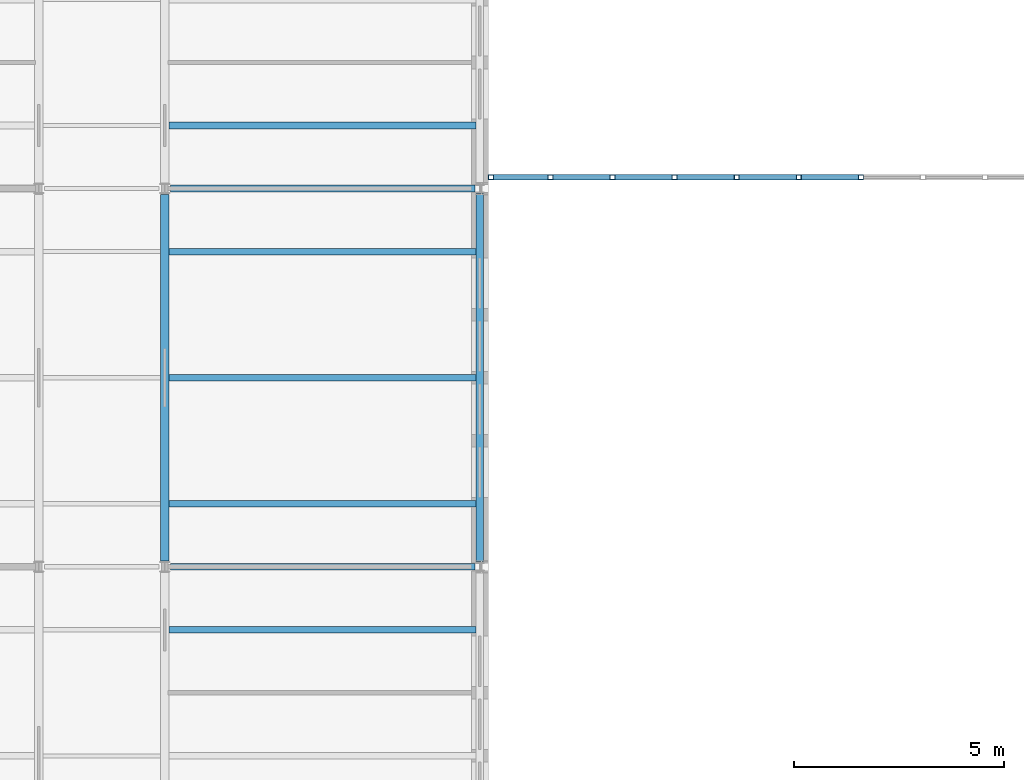
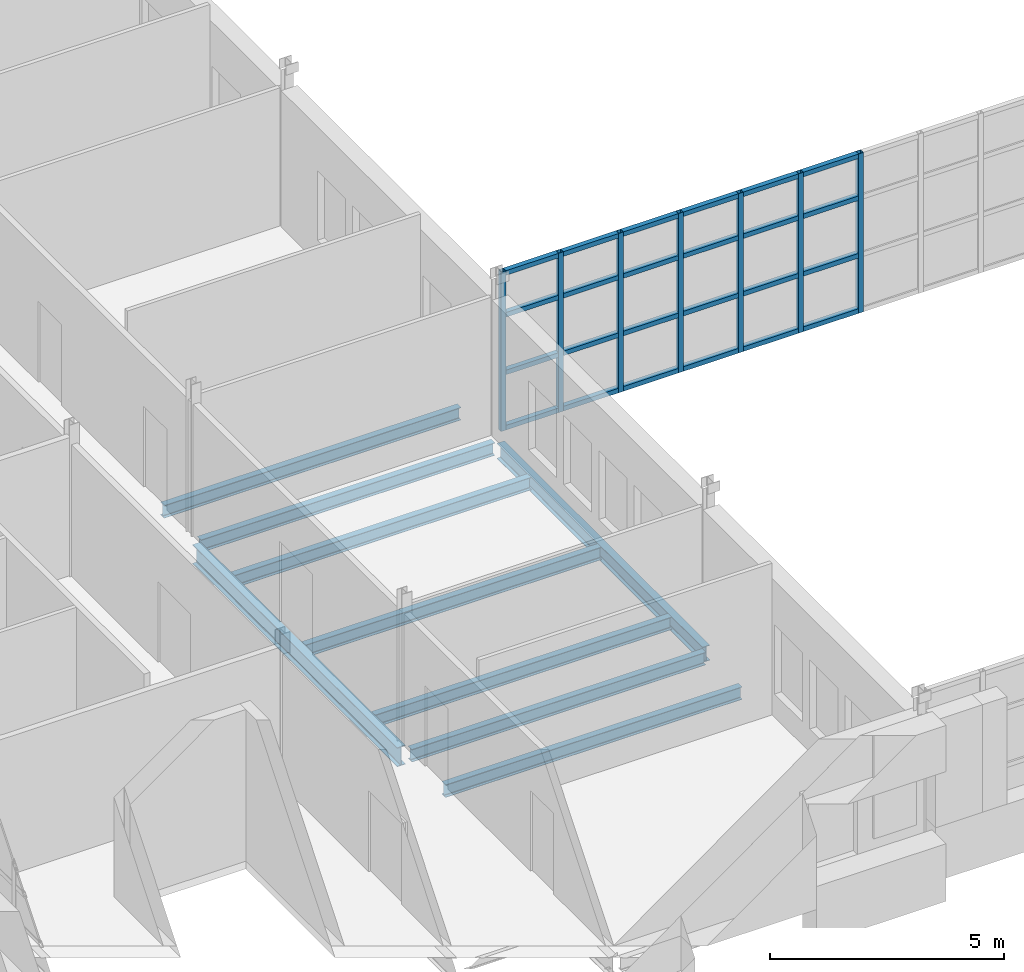
# One storey, part 24 of 154: 31 members, 9 beams, 1 element without a shape of its own.
"""IFC4 building model written with IfcOpenShell, lengths in metres."""

from ifc_helpers import new_model, si_unit, direction, frame, origin, origin_2d, place, context, subcontext, project, spatial, hollow_rectangle, i_section, extrude, material, material_profile, profile_set, type_object, element, aggregate, save


model = new_model("IFC4")

# Units and contexts
model_context = context("Model", 3, precision=1e-05, world=origin(), true_north=direction((0.0, 1.0)))
body_context = subcontext(model_context, "Body", "Model", "MODEL_VIEW")
ifc_project = project(units=[si_unit("LENGTHUNIT", "METRE"), si_unit("AREAUNIT", "SQUARE_METRE"), si_unit("VOLUMEUNIT", "CUBIC_METRE"), si_unit("PLANEANGLEUNIT", "RADIAN"), si_unit("MASSUNIT", "GRAM", prefix="KILO")], contexts=[model_context])

# Site, building, storey
site_placement = place(None, origin())
site = spatial("IfcSite", under=ifc_project, at=site_placement, CompositionType="ELEMENT")
building_placement = place(site_placement, origin())
building = spatial("IfcBuilding", under=site, at=building_placement, Name="Golden Quay Civic Hall", CompositionType="ELEMENT")
storey_placement = place(building_placement, frame((0.0, 0.0, 14.39990234375)))
storey = spatial("IfcBuildingStorey", under=building, at=storey_placement, Name="L03", CompositionType="ELEMENT", Elevation=14.39990234375)

# Curtain wall, members
ifc_material_1 = material(Name="Fire-resisting glass and steel", Category="steel")
curtain_wall_type = type_object("IfcCurtainWallType", Name="Fire-resisting glazed curtain wall EI 120", PredefinedType="NOTDEFINED", material=ifc_material_1)
curtain_wall_placement = place(storey_placement, origin())
curtain_wall = element("IfcCurtainWall", 1, at=curtain_wall_placement, inside=storey, type_object=curtain_wall_type, Name="CW3 curtain wall", PredefinedType="NOTDEFINED")
ifc_material_2 = material(Name="Steel S355", Category="steel")
ifc_material_profile_1 = material_profile(ifc_material_2, hollow_rectangle(XDim=0.1201171875, YDim=0.1201171875, WallThickness=0.008056640625, at=origin_2d()), Name="SHS 120x120x8")
ifc_profile_set_1 = profile_set([ifc_material_profile_1], Name="Steel S355")
member_type_1 = type_object("IfcMemberType", Name="Fire-resisting steel mullion SHS 120x120x8", PredefinedType="MULLION", material=ifc_profile_set_1)
member_1_placement = place(storey_placement, frame((72.260009765625, 18.27001953125, -0.199951171875), z_axis=(0.0, 0.0, 1.0), x_axis=(0.0, 1.0, 0.0)))
member_1 = element("IfcMember", 2, at=member_1_placement, type_object=member_type_1, Name="CW3 mullion 1", PredefinedType="MULLION", context=body_context, shape_type="SweptSolid", body=[
    extrude(hollow_rectangle(XDim=0.1201171875, YDim=0.1201171875, WallThickness=0.008056640625, at=origin_2d()), origin(), (0.0, 0.0, 1.0), 4.150146484375),
])
member_2_placement = place(storey_placement, frame((73.677734375, 18.27001953125, -0.199951171875), z_axis=(0.0, 0.0, 1.0), x_axis=(0.0, 1.0, 0.0)))
member_2 = element("IfcMember", 3, at=member_2_placement, type_object=member_type_1, Name="CW3 mullion 2", PredefinedType="MULLION", context=body_context, shape_type="SweptSolid", body=[
    extrude(hollow_rectangle(XDim=0.1201171875, YDim=0.1201171875, WallThickness=0.008056640625, at=origin_2d()), origin(), (0.0, 0.0, 1.0), 4.150146484375),
])
member_3_placement = place(storey_placement, frame((75.155517578125, 18.27001953125, -0.199951171875), z_axis=(0.0, 0.0, 1.0), x_axis=(0.0, 1.0, 0.0)))
member_3 = element("IfcMember", 4, at=member_3_placement, type_object=member_type_1, Name="CW3 mullion 3", PredefinedType="MULLION", context=body_context, shape_type="SweptSolid", body=[
    extrude(hollow_rectangle(XDim=0.1201171875, YDim=0.1201171875, WallThickness=0.008056640625, at=origin_2d()), origin(), (0.0, 0.0, 1.0), 4.150146484375),
])
member_4_placement = place(storey_placement, frame((76.63330078125, 18.27001953125, -0.199951171875), z_axis=(0.0, 0.0, 1.0), x_axis=(0.0, 1.0, 0.0)))
member_4 = element("IfcMember", 5, at=member_4_placement, type_object=member_type_1, Name="CW3 mullion 4", PredefinedType="MULLION", context=body_context, shape_type="SweptSolid", body=[
    extrude(hollow_rectangle(XDim=0.1201171875, YDim=0.1201171875, WallThickness=0.008056640625, at=origin_2d()), origin(), (0.0, 0.0, 1.0), 4.150146484375),
])
member_5_placement = place(storey_placement, frame((78.111083984375, 18.27001953125, -0.199951171875), z_axis=(0.0, 0.0, 1.0), x_axis=(0.0, 1.0, 0.0)))
member_5 = element("IfcMember", 6, at=member_5_placement, type_object=member_type_1, Name="CW3 mullion 5", PredefinedType="MULLION", context=body_context, shape_type="SweptSolid", body=[
    extrude(hollow_rectangle(XDim=0.1201171875, YDim=0.1201171875, WallThickness=0.008056640625, at=origin_2d()), origin(), (0.0, 0.0, 1.0), 4.150146484375),
])
member_6_placement = place(storey_placement, frame((79.5888671875, 18.27001953125, -0.199951171875), z_axis=(0.0, 0.0, 1.0), x_axis=(0.0, 1.0, 0.0)))
member_6 = element("IfcMember", 7, at=member_6_placement, type_object=member_type_1, Name="CW3 mullion 6", PredefinedType="MULLION", context=body_context, shape_type="SweptSolid", body=[
    extrude(hollow_rectangle(XDim=0.1201171875, YDim=0.1201171875, WallThickness=0.008056640625, at=origin_2d()), origin(), (0.0, 0.0, 1.0), 4.150146484375),
])
member_7_placement = place(storey_placement, frame((81.066650390625, 18.27001953125, -0.199951171875), z_axis=(0.0, 0.0, 1.0), x_axis=(0.0, 1.0, 0.0)))
member_7 = element("IfcMember", 8, at=member_7_placement, type_object=member_type_1, Name="CW3 mullion 7", PredefinedType="MULLION", context=body_context, shape_type="SweptSolid", body=[
    extrude(hollow_rectangle(XDim=0.1201171875, YDim=0.1201171875, WallThickness=0.008056640625, at=origin_2d()), origin(), (0.0, 0.0, 1.0), 4.150146484375),
])
ifc_material_3 = material(Name="Steel S355", Category="steel")
ifc_material_profile_2 = material_profile(ifc_material_3, hollow_rectangle(XDim=0.1201171875, YDim=0.1201171875, WallThickness=0.008056640625, at=origin_2d()), Name="SHS 120x120x8")
ifc_profile_set_2 = profile_set([ifc_material_profile_2], Name="Steel S355")
member_type_2 = type_object("IfcMemberType", Name="Fire-resisting steel transom SHS 120x120x8", PredefinedType="USERDEFINED", material=ifc_profile_set_2)
member_8_placement = place(storey_placement, frame((72.320068359375, 18.27001953125, -0.139892578125), z_axis=(1.0, 0.0, 0.0), x_axis=(0.0, 1.0, 0.0)))
member_8 = element("IfcMember", 9, at=member_8_placement, type_object=member_type_2, Name="CW3 transom 1.1", ObjectType="TRANSOM", PredefinedType="USERDEFINED", context=body_context, shape_type="SweptSolid", body=[
    extrude(hollow_rectangle(XDim=0.1201171875, YDim=0.1201171875, WallThickness=0.008056640625, at=origin_2d()), origin(), (0.0, 0.0, 1.0), 1.297607421875),
])
member_9_placement = place(storey_placement, frame((72.320068359375, 18.27001953125, 1.300048828125), z_axis=(1.0, 0.0, 0.0), x_axis=(0.0, 1.0, 0.0)))
member_9 = element("IfcMember", 10, at=member_9_placement, type_object=member_type_2, Name="CW3 transom 1.2", ObjectType="TRANSOM", PredefinedType="USERDEFINED", context=body_context, shape_type="SweptSolid", body=[
    extrude(hollow_rectangle(XDim=0.1201171875, YDim=0.1201171875, WallThickness=0.008056640625, at=origin_2d()), origin(), (0.0, 0.0, 1.0), 1.297607421875),
])
member_10_placement = place(storey_placement, frame((72.320068359375, 18.27001953125, 2.800048828125), z_axis=(1.0, 0.0, 0.0), x_axis=(0.0, 1.0, 0.0)))
member_10 = element("IfcMember", 11, at=member_10_placement, type_object=member_type_2, Name="CW3 transom 1.3", ObjectType="TRANSOM", PredefinedType="USERDEFINED", context=body_context, shape_type="SweptSolid", body=[
    extrude(hollow_rectangle(XDim=0.1201171875, YDim=0.1201171875, WallThickness=0.008056640625, at=origin_2d()), origin(), (0.0, 0.0, 1.0), 1.297607421875),
])
member_11_placement = place(storey_placement, frame((72.320068359375, 18.27001953125, 3.89013671875), z_axis=(1.0, 0.0, 0.0), x_axis=(0.0, 1.0, 0.0)))
member_11 = element("IfcMember", 12, at=member_11_placement, type_object=member_type_2, Name="CW3 transom 1.4", ObjectType="TRANSOM", PredefinedType="USERDEFINED", context=body_context, shape_type="SweptSolid", body=[
    extrude(hollow_rectangle(XDim=0.1201171875, YDim=0.1201171875, WallThickness=0.008056640625, at=origin_2d()), origin(), (0.0, 0.0, 1.0), 1.297607421875),
])
member_12_placement = place(storey_placement, frame((73.73779296875, 18.27001953125, -0.139892578125), z_axis=(1.0, 0.0, 0.0), x_axis=(0.0, 1.0, 0.0)))
member_12 = element("IfcMember", 13, at=member_12_placement, type_object=member_type_2, Name="CW3 transom 2.1", ObjectType="TRANSOM", PredefinedType="USERDEFINED", context=body_context, shape_type="SweptSolid", body=[
    extrude(hollow_rectangle(XDim=0.1201171875, YDim=0.1201171875, WallThickness=0.008056640625, at=origin_2d()), origin(), (0.0, 0.0, 1.0), 1.357666015625),
])
member_13_placement = place(storey_placement, frame((73.73779296875, 18.27001953125, 1.300048828125), z_axis=(1.0, 0.0, 0.0), x_axis=(0.0, 1.0, 0.0)))
member_13 = element("IfcMember", 14, at=member_13_placement, type_object=member_type_2, Name="CW3 transom 2.2", ObjectType="TRANSOM", PredefinedType="USERDEFINED", context=body_context, shape_type="SweptSolid", body=[
    extrude(hollow_rectangle(XDim=0.1201171875, YDim=0.1201171875, WallThickness=0.008056640625, at=origin_2d()), origin(), (0.0, 0.0, 1.0), 1.357666015625),
])
member_14_placement = place(storey_placement, frame((73.73779296875, 18.27001953125, 2.800048828125), z_axis=(1.0, 0.0, 0.0), x_axis=(0.0, 1.0, 0.0)))
member_14 = element("IfcMember", 15, at=member_14_placement, type_object=member_type_2, Name="CW3 transom 2.3", ObjectType="TRANSOM", PredefinedType="USERDEFINED", context=body_context, shape_type="SweptSolid", body=[
    extrude(hollow_rectangle(XDim=0.1201171875, YDim=0.1201171875, WallThickness=0.008056640625, at=origin_2d()), origin(), (0.0, 0.0, 1.0), 1.357666015625),
])
member_15_placement = place(storey_placement, frame((73.73779296875, 18.27001953125, 3.89013671875), z_axis=(1.0, 0.0, 0.0), x_axis=(0.0, 1.0, 0.0)))
member_15 = element("IfcMember", 16, at=member_15_placement, type_object=member_type_2, Name="CW3 transom 2.4", ObjectType="TRANSOM", PredefinedType="USERDEFINED", context=body_context, shape_type="SweptSolid", body=[
    extrude(hollow_rectangle(XDim=0.1201171875, YDim=0.1201171875, WallThickness=0.008056640625, at=origin_2d()), origin(), (0.0, 0.0, 1.0), 1.357666015625),
])
member_16_placement = place(storey_placement, frame((75.215576171875, 18.27001953125, -0.139892578125), z_axis=(1.0, 0.0, 0.0), x_axis=(0.0, 1.0, 0.0)))
member_16 = element("IfcMember", 17, at=member_16_placement, type_object=member_type_2, Name="CW3 transom 3.1", ObjectType="TRANSOM", PredefinedType="USERDEFINED", context=body_context, shape_type="SweptSolid", body=[
    extrude(hollow_rectangle(XDim=0.1201171875, YDim=0.1201171875, WallThickness=0.008056640625, at=origin_2d()), origin(), (0.0, 0.0, 1.0), 1.357666015625),
])
member_17_placement = place(storey_placement, frame((75.215576171875, 18.27001953125, 1.300048828125), z_axis=(1.0, 0.0, 0.0), x_axis=(0.0, 1.0, 0.0)))
member_17 = element("IfcMember", 18, at=member_17_placement, type_object=member_type_2, Name="CW3 transom 3.2", ObjectType="TRANSOM", PredefinedType="USERDEFINED", context=body_context, shape_type="SweptSolid", body=[
    extrude(hollow_rectangle(XDim=0.1201171875, YDim=0.1201171875, WallThickness=0.008056640625, at=origin_2d()), origin(), (0.0, 0.0, 1.0), 1.357666015625),
])
member_18_placement = place(storey_placement, frame((75.215576171875, 18.27001953125, 2.800048828125), z_axis=(1.0, 0.0, 0.0), x_axis=(0.0, 1.0, 0.0)))
member_18 = element("IfcMember", 19, at=member_18_placement, type_object=member_type_2, Name="CW3 transom 3.3", ObjectType="TRANSOM", PredefinedType="USERDEFINED", context=body_context, shape_type="SweptSolid", body=[
    extrude(hollow_rectangle(XDim=0.1201171875, YDim=0.1201171875, WallThickness=0.008056640625, at=origin_2d()), origin(), (0.0, 0.0, 1.0), 1.357666015625),
])
member_19_placement = place(storey_placement, frame((75.215576171875, 18.27001953125, 3.89013671875), z_axis=(1.0, 0.0, 0.0), x_axis=(0.0, 1.0, 0.0)))
member_19 = element("IfcMember", 20, at=member_19_placement, type_object=member_type_2, Name="CW3 transom 3.4", ObjectType="TRANSOM", PredefinedType="USERDEFINED", context=body_context, shape_type="SweptSolid", body=[
    extrude(hollow_rectangle(XDim=0.1201171875, YDim=0.1201171875, WallThickness=0.008056640625, at=origin_2d()), origin(), (0.0, 0.0, 1.0), 1.357666015625),
])
member_20_placement = place(storey_placement, frame((76.693359375, 18.27001953125, -0.139892578125), z_axis=(1.0, 0.0, 0.0), x_axis=(0.0, 1.0, 0.0)))
member_20 = element("IfcMember", 21, at=member_20_placement, type_object=member_type_2, Name="CW3 transom 4.1", ObjectType="TRANSOM", PredefinedType="USERDEFINED", context=body_context, shape_type="SweptSolid", body=[
    extrude(hollow_rectangle(XDim=0.1201171875, YDim=0.1201171875, WallThickness=0.008056640625, at=origin_2d()), origin(), (0.0, 0.0, 1.0), 1.357666015625),
])
member_21_placement = place(storey_placement, frame((76.693359375, 18.27001953125, 1.300048828125), z_axis=(1.0, 0.0, 0.0), x_axis=(0.0, 1.0, 0.0)))
member_21 = element("IfcMember", 22, at=member_21_placement, type_object=member_type_2, Name="CW3 transom 4.2", ObjectType="TRANSOM", PredefinedType="USERDEFINED", context=body_context, shape_type="SweptSolid", body=[
    extrude(hollow_rectangle(XDim=0.1201171875, YDim=0.1201171875, WallThickness=0.008056640625, at=origin_2d()), origin(), (0.0, 0.0, 1.0), 1.357666015625),
])
member_22_placement = place(storey_placement, frame((76.693359375, 18.27001953125, 2.800048828125), z_axis=(1.0, 0.0, 0.0), x_axis=(0.0, 1.0, 0.0)))
member_22 = element("IfcMember", 23, at=member_22_placement, type_object=member_type_2, Name="CW3 transom 4.3", ObjectType="TRANSOM", PredefinedType="USERDEFINED", context=body_context, shape_type="SweptSolid", body=[
    extrude(hollow_rectangle(XDim=0.1201171875, YDim=0.1201171875, WallThickness=0.008056640625, at=origin_2d()), origin(), (0.0, 0.0, 1.0), 1.357666015625),
])
member_23_placement = place(storey_placement, frame((76.693359375, 18.27001953125, 3.89013671875), z_axis=(1.0, 0.0, 0.0), x_axis=(0.0, 1.0, 0.0)))
member_23 = element("IfcMember", 24, at=member_23_placement, type_object=member_type_2, Name="CW3 transom 4.4", ObjectType="TRANSOM", PredefinedType="USERDEFINED", context=body_context, shape_type="SweptSolid", body=[
    extrude(hollow_rectangle(XDim=0.1201171875, YDim=0.1201171875, WallThickness=0.008056640625, at=origin_2d()), origin(), (0.0, 0.0, 1.0), 1.357666015625),
])
member_24_placement = place(storey_placement, frame((78.171142578125, 18.27001953125, -0.139892578125), z_axis=(1.0, 0.0, 0.0), x_axis=(0.0, 1.0, 0.0)))
member_24 = element("IfcMember", 25, at=member_24_placement, type_object=member_type_2, Name="CW3 transom 5.1", ObjectType="TRANSOM", PredefinedType="USERDEFINED", context=body_context, shape_type="SweptSolid", body=[
    extrude(hollow_rectangle(XDim=0.1201171875, YDim=0.1201171875, WallThickness=0.008056640625, at=origin_2d()), origin(), (0.0, 0.0, 1.0), 1.357666015625),
])
member_25_placement = place(storey_placement, frame((78.171142578125, 18.27001953125, 1.300048828125), z_axis=(1.0, 0.0, 0.0), x_axis=(0.0, 1.0, 0.0)))
member_25 = element("IfcMember", 26, at=member_25_placement, type_object=member_type_2, Name="CW3 transom 5.2", ObjectType="TRANSOM", PredefinedType="USERDEFINED", context=body_context, shape_type="SweptSolid", body=[
    extrude(hollow_rectangle(XDim=0.1201171875, YDim=0.1201171875, WallThickness=0.008056640625, at=origin_2d()), origin(), (0.0, 0.0, 1.0), 1.357666015625),
])
member_26_placement = place(storey_placement, frame((78.171142578125, 18.27001953125, 2.800048828125), z_axis=(1.0, 0.0, 0.0), x_axis=(0.0, 1.0, 0.0)))
member_26 = element("IfcMember", 27, at=member_26_placement, type_object=member_type_2, Name="CW3 transom 5.3", ObjectType="TRANSOM", PredefinedType="USERDEFINED", context=body_context, shape_type="SweptSolid", body=[
    extrude(hollow_rectangle(XDim=0.1201171875, YDim=0.1201171875, WallThickness=0.008056640625, at=origin_2d()), origin(), (0.0, 0.0, 1.0), 1.357666015625),
])
member_27_placement = place(storey_placement, frame((78.171142578125, 18.27001953125, 3.89013671875), z_axis=(1.0, 0.0, 0.0), x_axis=(0.0, 1.0, 0.0)))
member_27 = element("IfcMember", 28, at=member_27_placement, type_object=member_type_2, Name="CW3 transom 5.4", ObjectType="TRANSOM", PredefinedType="USERDEFINED", context=body_context, shape_type="SweptSolid", body=[
    extrude(hollow_rectangle(XDim=0.1201171875, YDim=0.1201171875, WallThickness=0.008056640625, at=origin_2d()), origin(), (0.0, 0.0, 1.0), 1.357666015625),
])
member_28_placement = place(storey_placement, frame((79.64892578125, 18.27001953125, -0.139892578125), z_axis=(1.0, 0.0, 0.0), x_axis=(0.0, 1.0, 0.0)))
member_28 = element("IfcMember", 29, at=member_28_placement, type_object=member_type_2, Name="CW3 transom 6.1", ObjectType="TRANSOM", PredefinedType="USERDEFINED", context=body_context, shape_type="SweptSolid", body=[
    extrude(hollow_rectangle(XDim=0.1201171875, YDim=0.1201171875, WallThickness=0.008056640625, at=origin_2d()), origin(), (0.0, 0.0, 1.0), 1.357666015625),
])
member_29_placement = place(storey_placement, frame((79.64892578125, 18.27001953125, 1.300048828125), z_axis=(1.0, 0.0, 0.0), x_axis=(0.0, 1.0, 0.0)))
member_29 = element("IfcMember", 30, at=member_29_placement, type_object=member_type_2, Name="CW3 transom 6.2", ObjectType="TRANSOM", PredefinedType="USERDEFINED", context=body_context, shape_type="SweptSolid", body=[
    extrude(hollow_rectangle(XDim=0.1201171875, YDim=0.1201171875, WallThickness=0.008056640625, at=origin_2d()), origin(), (0.0, 0.0, 1.0), 1.357666015625),
])
member_30_placement = place(storey_placement, frame((79.64892578125, 18.27001953125, 2.800048828125), z_axis=(1.0, 0.0, 0.0), x_axis=(0.0, 1.0, 0.0)))
member_30 = element("IfcMember", 31, at=member_30_placement, type_object=member_type_2, Name="CW3 transom 6.3", ObjectType="TRANSOM", PredefinedType="USERDEFINED", context=body_context, shape_type="SweptSolid", body=[
    extrude(hollow_rectangle(XDim=0.1201171875, YDim=0.1201171875, WallThickness=0.008056640625, at=origin_2d()), origin(), (0.0, 0.0, 1.0), 1.357666015625),
])
member_31_placement = place(storey_placement, frame((79.64892578125, 18.27001953125, 3.89013671875), z_axis=(1.0, 0.0, 0.0), x_axis=(0.0, 1.0, 0.0)))
member_31 = element("IfcMember", 32, at=member_31_placement, type_object=member_type_2, Name="CW3 transom 6.4", ObjectType="TRANSOM", PredefinedType="USERDEFINED", context=body_context, shape_type="SweptSolid", body=[
    extrude(hollow_rectangle(XDim=0.1201171875, YDim=0.1201171875, WallThickness=0.008056640625, at=origin_2d()), origin(), (0.0, 0.0, 1.0), 1.357666015625),
])
aggregate(curtain_wall, [member_1, member_2, member_3, member_4, member_5, member_6, member_7, member_8, member_9, member_10, member_11, member_12, member_13, member_14, member_15, member_16, member_17, member_18, member_19, member_20, member_21, member_22, member_23, member_24, member_25, member_26, member_27, member_28, member_29, member_30, member_31])

# Beams
ifc_material_4 = material(Name="Steel S355", Category="steel")
ifc_material_profile_3 = material_profile(ifc_material_4, i_section(OverallWidth=0.159912109375, OverallDepth=0.330078125, WebThickness=0.007568359375, FlangeThickness=0.011474609375, FilletRadius=0.01806640625, at=origin_2d()), Name="IPE 330")
ifc_profile_set_3 = profile_set([ifc_material_profile_3], Name="Steel S355")
beam_type_1 = type_object("IfcBeamType", Name="Steel beam IPE 330", PredefinedType="BEAM", material=ifc_profile_set_3)
for number, where, z_axis, x_axis, name in (
    (33, (64.639892578125, 9.0, -0.364990234375), (1.0, 0.0, 0.0), (0.0, 1.0, 0.0), "Beam S9-64.5"),
    (34, (64.639892578125, 18.0, -0.364990234375), (1.0, 0.0, 0.0), (0.0, 1.0, 0.0), "Beam S18-64.5"),
):
    element("IfcBeam", number, at=place(storey_placement, frame(where, z_axis=z_axis, x_axis=x_axis)), inside=storey, type_object=beam_type_1, Name=name, PredefinedType="BEAM", context=body_context, shape_type="SweptSolid", body=[
        extrude(i_section(OverallWidth=0.159912109375, OverallDepth=0.330078125, WebThickness=0.007568359375, FlangeThickness=0.011474609375, FilletRadius=0.01806640625, at=origin_2d()), origin(), (0.0, 0.0, 1.0), 7.239990234375),
    ])
ifc_material_5 = material(Name="Steel S355", Category="steel")
ifc_material_profile_4 = material_profile(ifc_material_5, i_section(OverallWidth=0.179931640625, OverallDepth=0.39990234375, WebThickness=0.008544921875, FlangeThickness=0.013427734375, FilletRadius=0.02099609375, at=origin_2d()), Name="IPE 400")
ifc_profile_set_4 = profile_set([ifc_material_profile_4], Name="Steel S355")
beam_type_2 = type_object("IfcBeamType", Name="Steel beam IPE 400", PredefinedType="BEAM", material=ifc_profile_set_4)
beam_1_placement = place(storey_placement, frame((72.0, 9.114990234375, -0.39990234375), z_axis=(0.0, 1.0, 0.0), x_axis=(-1.0, 0.0, 0.0)))
element("IfcBeam", 35, at=beam_1_placement, inside=storey, type_object=beam_type_2, Name="Beam L72-9", PredefinedType="BEAM", context=body_context, shape_type="SweptSolid", body=[
    extrude(i_section(OverallWidth=0.179931640625, OverallDepth=0.39990234375, WebThickness=0.008544921875, FlangeThickness=0.013427734375, FilletRadius=0.02099609375, at=origin_2d()), origin(), (0.0, 0.0, 1.0), 8.77001953125),
])
ifc_material_6 = material(Name="Steel S355", Category="steel")
ifc_material_profile_5 = material_profile(ifc_material_6, i_section(OverallWidth=0.199951171875, OverallDepth=0.5, WebThickness=0.01025390625, FlangeThickness=0.01611328125, FilletRadius=0.02099609375, at=origin_2d()), Name="IPE 500")
ifc_profile_set_5 = profile_set([ifc_material_profile_5], Name="Steel S355")
beam_type_3 = type_object("IfcBeamType", Name="Steel beam IPE 500", PredefinedType="BEAM", material=ifc_profile_set_5)
beam_2_placement = place(storey_placement, frame((64.5, 9.135009765625, -0.449951171875), z_axis=(0.0, 1.0, 0.0), x_axis=(-1.0, 0.0, 0.0)))
element("IfcBeam", 36, at=beam_2_placement, inside=storey, type_object=beam_type_3, Name="Beam L64.5-9", PredefinedType="BEAM", context=body_context, shape_type="SweptSolid", body=[
    extrude(i_section(OverallWidth=0.199951171875, OverallDepth=0.5, WebThickness=0.01025390625, FlangeThickness=0.01611328125, FilletRadius=0.02099609375, at=origin_2d()), origin(), (0.0, 0.0, 1.0), 8.72998046875),
])
ifc_material_7 = material(Name="Steel S355", Category="steel")
ifc_material_profile_6 = material_profile(ifc_material_7, i_section(OverallWidth=0.159912109375, OverallDepth=0.330078125, WebThickness=0.007568359375, FlangeThickness=0.011474609375, FilletRadius=0.01806640625, at=origin_2d()), Name="IPE 330")
ifc_profile_set_6 = profile_set([ifc_material_profile_6], Name="Steel S355")
beam_type_4 = type_object("IfcBeamType", Name="Steel joist IPE 330", PredefinedType="JOIST", material=ifc_profile_set_6)
for number, where, z_axis, x_axis, name in (
    (37, (64.60009765625, 7.5, -0.364990234375), (1.0, 0.0, 0.0), (0.0, 1.0, 0.0), "Joist J7.5-64.5"),
    (38, (64.60009765625, 10.5, -0.364990234375), (1.0, 0.0, 0.0), (0.0, 1.0, 0.0), "Joist J10.5-64.5"),
    (39, (64.60009765625, 13.5, -0.364990234375), (1.0, 0.0, 0.0), (0.0, 1.0, 0.0), "Joist J13.5-64.5"),
    (40, (64.60009765625, 16.5, -0.364990234375), (1.0, 0.0, 0.0), (0.0, 1.0, 0.0), "Joist J16.5-64.5"),
    (41, (64.60009765625, 19.5, -0.364990234375), (1.0, 0.0, 0.0), (0.0, 1.0, 0.0), "Joist J19.5-64.5"),
):
    element("IfcBeam", number, at=place(storey_placement, frame(where, z_axis=z_axis, x_axis=x_axis)), inside=storey, type_object=beam_type_4, Name=name, PredefinedType="JOIST", context=body_context, shape_type="SweptSolid", body=[
        extrude(i_section(OverallWidth=0.159912109375, OverallDepth=0.330078125, WebThickness=0.007568359375, FlangeThickness=0.011474609375, FilletRadius=0.01806640625, at=origin_2d()), origin(), (0.0, 0.0, 1.0), 7.309814453125),
    ])

save(model, "model.ifc")
